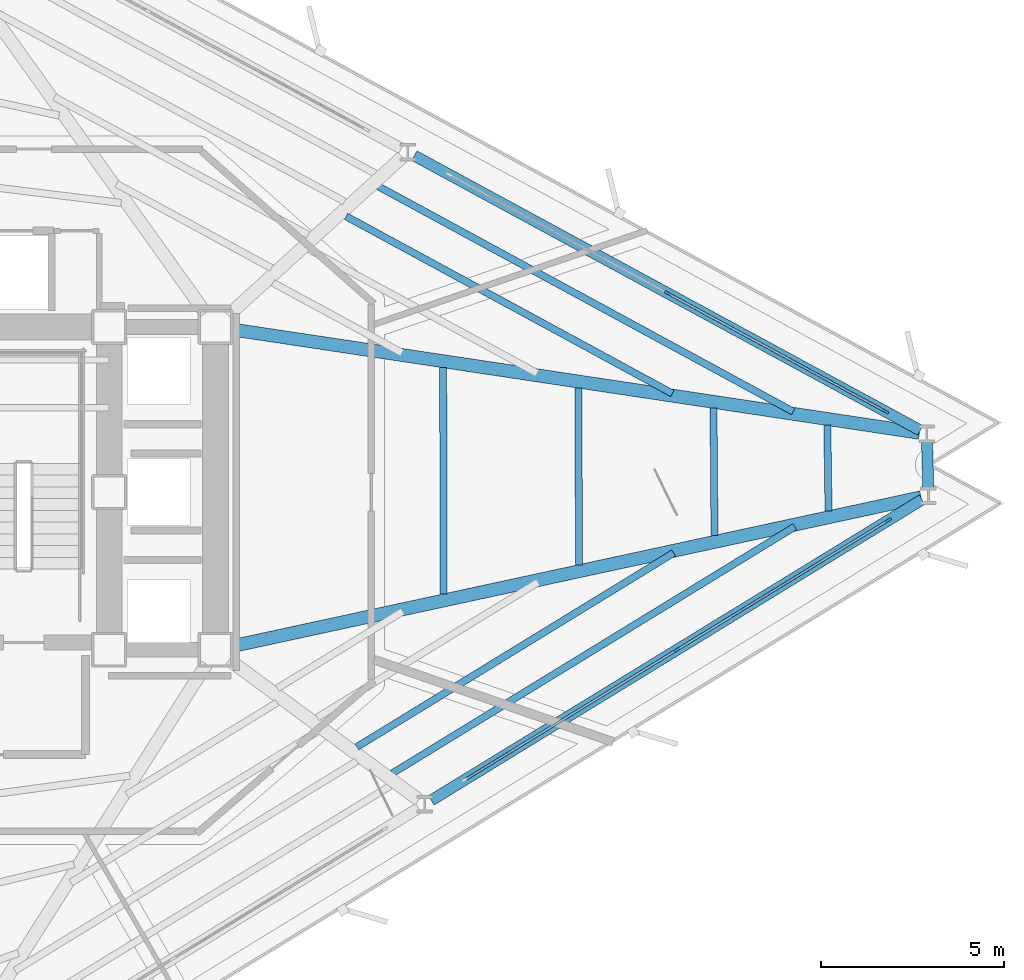
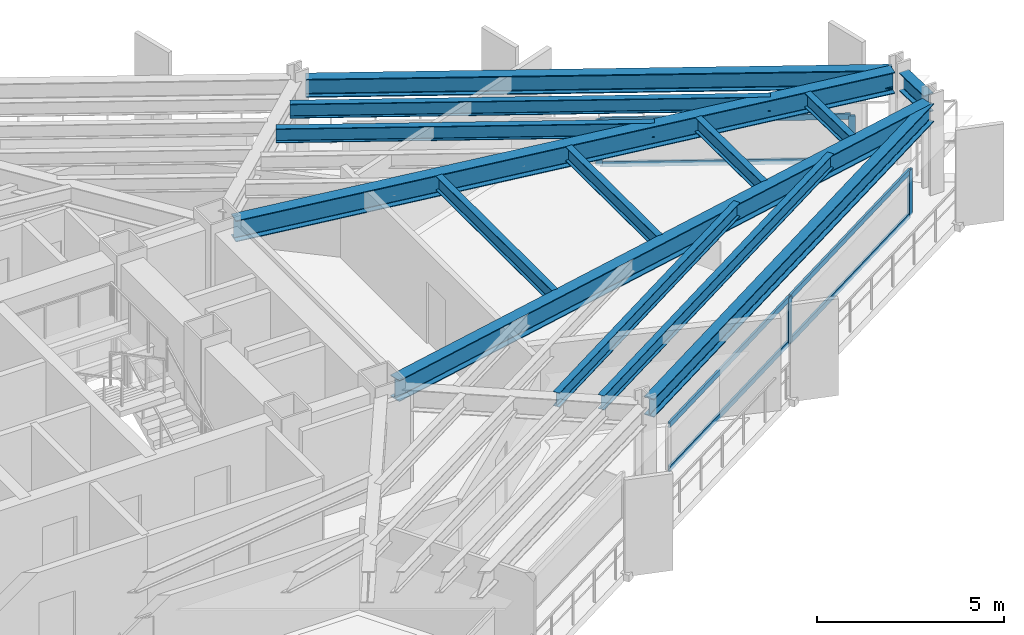
# One storey, part 4 of 14: 13 beams, 10 members, 2 elements without a shape of their own.
"""IFC4 building model written with IfcOpenShell, lengths in metres."""

from ifc_helpers import new_model, si_unit, direction, frame, origin, origin_2d, place, context, subcontext, project, spatial, rectangle, i_section, extrude, material, layer, layer_set, material_profile, profile_set, type_object, element, aggregate, save


model = new_model("IFC4")

# Units and contexts
model_context = context("Model", 3, precision=1e-05, world=origin(), true_north=direction((0.0, 1.0)))
body_context = subcontext(model_context, "Body", "Model", "MODEL_VIEW")
ifc_project = project(units=[si_unit("LENGTHUNIT", "METRE"), si_unit("AREAUNIT", "SQUARE_METRE"), si_unit("VOLUMEUNIT", "CUBIC_METRE"), si_unit("PLANEANGLEUNIT", "RADIAN"), si_unit("MASSUNIT", "GRAM", prefix="KILO")], contexts=[model_context])

# Site, building, storey
site_placement = place(None, origin())
site = spatial("IfcSite", under=ifc_project, at=site_placement, CompositionType="ELEMENT")
building_placement = place(site_placement, origin())
building = spatial("IfcBuilding", under=site, at=building_placement, Name="Rocaltana Carrier Exchange", CompositionType="ELEMENT")
storey_placement = place(building_placement, frame((0.0, 0.0, 42.39990234375)))
storey = spatial("IfcBuildingStorey", under=building, at=storey_placement, Name="L13", CompositionType="ELEMENT", Elevation=42.39990234375)

# Curtain wall, members
ifc_material_1 = material(Name="Aluminium 6063-T6", Category="aluminium")
ifc_layer = layer(ifc_material_1, 0.179931640625)
ifc_layer_set = layer_set([ifc_layer], Name="Aluminium 6063-T6")
curtain_wall_type = type_object("IfcCurtainWallType", Name="Sandstone Spandrel Unitised Curtain Wall CW-01", PredefinedType="NOTDEFINED", material=ifc_layer_set)
curtain_wall_1_placement = place(storey_placement, origin())
curtain_wall_1 = element("IfcCurtainWall", 1, at=curtain_wall_1_placement, inside=storey, type_object=curtain_wall_type, Name="L13 CW-01 Run CW-L13-F1S1", PredefinedType="NOTDEFINED")
ifc_material_2 = material(Name="Aluminium 6063-T6", Category="aluminium")
ifc_material_profile_1 = material_profile(ifc_material_2, rectangle(XDim=0.06494140625, YDim=0.179931640625, at=origin_2d()), Name="AL-65X180")
ifc_profile_set_1 = profile_set([ifc_material_profile_1], Name="Aluminium 6063-T6")
member_type_1 = type_object("IfcMemberType", Name="CW-01 Mullion AL-65X180", PredefinedType="MULLION", material=ifc_profile_set_1)
member_1_placement = place(storey_placement, frame((27.213623046875, 2.19677734375, 0.0), z_axis=(0.0, 0.0, 1.0), x_axis=(-0.477161473226, -0.878815639636, 0.0)))
member_1 = element("IfcMember", 2, at=member_1_placement, type_object=member_type_1, Name="CW-01 mullion 1", PredefinedType="MULLION", context=body_context, shape_type="SweptSolid", body=[
    extrude(rectangle(XDim=0.06494140625, YDim=0.179931640625, at=origin_2d()), origin(), (0.0, 0.0, 1.0), 1.498046875),
])
member_2_placement = place(storey_placement, frame((21.26611328125, 5.426025390625, 0.0), z_axis=(0.0, 0.0, 1.0), x_axis=(-0.477161473226, -0.878815639636, 0.0)))
member_2 = element("IfcMember", 3, at=member_2_placement, type_object=member_type_1, Name="CW-01 mullion 2", PredefinedType="MULLION", context=body_context, shape_type="SweptSolid", body=[
    extrude(rectangle(XDim=0.06494140625, YDim=0.179931640625, at=origin_2d()), origin(), (0.0, 0.0, 1.0), 1.498046875),
])

curtain_wall_2_placement = place(storey_placement, origin())
curtain_wall_2 = element("IfcCurtainWall", 4, at=curtain_wall_2_placement, inside=storey, type_object=curtain_wall_type, Name="L13 CW-01 Run CW-L13-F3S3", PredefinedType="NOTDEFINED")
member_3_placement = place(storey_placement, frame((21.52099609375, -4.3056640625, 0.0), z_axis=(0.0, 0.0, 1.0), x_axis=(-0.522499812415, 0.852639399762, 0.0)))
member_3 = element("IfcMember", 5, at=member_3_placement, type_object=member_type_1, Name="CW-01 mullion 2", PredefinedType="MULLION", context=body_context, shape_type="SweptSolid", body=[
    extrude(rectangle(XDim=0.06494140625, YDim=0.179931640625, at=origin_2d()), origin(), (0.0, 0.0, 1.0), 1.498046875),
])
member_4_placement = place(storey_placement, frame((27.291259765625, -0.76953125, 0.0), z_axis=(0.0, 0.0, 1.0), x_axis=(-0.522499812415, 0.852639399762, 0.0)))
member_4 = element("IfcMember", 6, at=member_4_placement, type_object=member_type_1, Name="CW-01 mullion 3", PredefinedType="MULLION", context=body_context, shape_type="SweptSolid", body=[
    extrude(rectangle(XDim=0.06494140625, YDim=0.179931640625, at=origin_2d()), origin(), (0.0, 0.0, 1.0), 1.498046875),
])

# Member
ifc_material_3 = material(Name="Aluminium 6063-T6", Category="aluminium")
ifc_material_profile_2 = material_profile(ifc_material_3, rectangle(XDim=0.06494140625, YDim=0.179931640625, at=origin_2d()), Name="AL-65X180")
ifc_profile_set_2 = profile_set([ifc_material_profile_2], Name="Aluminium 6063-T6")
member_type_2 = type_object("IfcMemberType", Name="CW-01 Transom AL-65X180", PredefinedType="USERDEFINED", material=ifc_profile_set_2)
member_5_placement = place(storey_placement, frame((27.18505859375, 2.21240234375, 0.03271484375), z_axis=(-0.878830739565, 0.477133661772, 0.0), x_axis=(-0.477133661772, -0.878830739565, 0.0)))
member_5 = element("IfcMember", 7, at=member_5_placement, type_object=member_type_2, Name="CW-01 transom 1.1", ObjectType="TRANSOM", PredefinedType="USERDEFINED", context=body_context, shape_type="SweptSolid", body=[
    extrude(rectangle(XDim=0.06494140625, YDim=0.179931640625, at=origin_2d()), origin(), (0.0, 0.0, 1.0), 6.70263671875),
])

member_6_placement = place(storey_placement, frame((27.18505859375, 2.21240234375, 1.465576171875), z_axis=(-0.878830739565, 0.477133661772, 0.0), x_axis=(-0.477133661772, -0.878830739565, 0.0)))
member_6 = element("IfcMember", 8, at=member_6_placement, type_object=member_type_2, Name="CW-01 transom 1.2", ObjectType="TRANSOM", PredefinedType="USERDEFINED", context=body_context, shape_type="SweptSolid", body=[
    extrude(rectangle(XDim=0.06494140625, YDim=0.179931640625, at=origin_2d()), origin(), (0.0, 0.0, 1.0), 6.70263671875),
])

aggregate(curtain_wall_1, [member_1, member_2, member_5, member_6])

member_7_placement = place(storey_placement, frame((15.7783203125, -7.82470703125, 0.03271484375), z_axis=(0.85263109068, 0.522513371318, 0.0), x_axis=(-0.522513371318, 0.85263109068, 0.0)))
member_7 = element("IfcMember", 9, at=member_7_placement, type_object=member_type_2, Name="CW-01 transom 1.1", ObjectType="TRANSOM", PredefinedType="USERDEFINED", context=body_context, shape_type="SweptSolid", body=[
    extrude(rectangle(XDim=0.06494140625, YDim=0.179931640625, at=origin_2d()), origin(), (0.0, 0.0, 1.0), 6.70263671875),
])

member_8_placement = place(storey_placement, frame((15.7783203125, -7.82470703125, 1.465576171875), z_axis=(0.85263109068, 0.522513371318, 0.0), x_axis=(-0.522513371318, 0.85263109068, 0.0)))
member_8 = element("IfcMember", 10, at=member_8_placement, type_object=member_type_2, Name="CW-01 transom 1.2", ObjectType="TRANSOM", PredefinedType="USERDEFINED", context=body_context, shape_type="SweptSolid", body=[
    extrude(rectangle(XDim=0.06494140625, YDim=0.179931640625, at=origin_2d()), origin(), (0.0, 0.0, 1.0), 6.70263671875),
])

member_9_placement = place(storey_placement, frame((21.548583984375, -4.28857421875, 0.03271484375), z_axis=(0.85264731822, 0.522486890488, 0.0), x_axis=(-0.522486890488, 0.85264731822, 0.0)))
member_9 = element("IfcMember", 11, at=member_9_placement, type_object=member_type_2, Name="CW-01 transom 2.1", ObjectType="TRANSOM", PredefinedType="USERDEFINED", context=body_context, shape_type="SweptSolid", body=[
    extrude(rectangle(XDim=0.06494140625, YDim=0.179931640625, at=origin_2d()), origin(), (0.0, 0.0, 1.0), 6.702392578125),
])

member_10_placement = place(storey_placement, frame((21.548583984375, -4.28857421875, 1.465576171875), z_axis=(0.85264731822, 0.522486890488, 0.0), x_axis=(-0.522486890488, 0.85264731822, 0.0)))
member_10 = element("IfcMember", 12, at=member_10_placement, type_object=member_type_2, Name="CW-01 transom 2.2", ObjectType="TRANSOM", PredefinedType="USERDEFINED", context=body_context, shape_type="SweptSolid", body=[
    extrude(rectangle(XDim=0.06494140625, YDim=0.179931640625, at=origin_2d()), origin(), (0.0, 0.0, 1.0), 6.702392578125),
])

aggregate(curtain_wall_2, [member_3, member_4, member_7, member_8, member_9, member_10])

# Beams
ifc_material_4 = material(Name="Steel S355", Category="steel")
ifc_material_profile_3 = material_profile(ifc_material_4, i_section(OverallWidth=0.193115234375, OverallDepth=0.466064453125, WebThickness=0.011474609375, FlangeThickness=0.01904296875, FilletRadius=0.013916015625, at=origin_2d()), Name="W18X65")
ifc_profile_set_3 = profile_set([ifc_material_profile_3], Name="Steel S355")
beam_type_1 = type_object("IfcBeamType", Name="Floor Joist W18X65", PredefinedType="JOIST", material=ifc_profile_set_3)
beam_1_placement = place(storey_placement, frame((21.4033203125, 2.68701171875, 2.80517578125), z_axis=(-0.878818466662, 0.477156266494, 0.0), x_axis=(-0.477156266494, -0.878818466662, 0.0)))
element("IfcBeam", 13, at=beam_1_placement, inside=storey, type_object=beam_type_1, Name="FJ-L13-01-3", PredefinedType="JOIST", context=body_context, shape_type="SweptSolid", body=[
    extrude(i_section(OverallWidth=0.193115234375, OverallDepth=0.466064453125, WebThickness=0.011474609375, FlangeThickness=0.01904296875, FilletRadius=0.013916015625, at=origin_2d()), origin(), (0.0, 0.0, 1.0), 10.1220703125),
])
beam_2_placement = place(storey_placement, frame((24.69970703125, 2.19140625, 2.80517578125), z_axis=(-0.878819767198, 0.477153871181, 0.0), x_axis=(-0.477153871181, -0.878819767198, 0.0)))
element("IfcBeam", 14, at=beam_2_placement, inside=storey, type_object=beam_type_1, Name="FJ-L13-01-4", PredefinedType="JOIST", context=body_context, shape_type="SweptSolid", body=[
    extrude(i_section(OverallWidth=0.193115234375, OverallDepth=0.466064453125, WebThickness=0.011474609375, FlangeThickness=0.01904296875, FilletRadius=0.013916015625, at=origin_2d()), origin(), (0.0, 0.0, 1.0), 12.859130859375),
])
beam_3_placement = place(storey_placement, frame((12.805908203125, -6.947998046875, 2.80517578125), z_axis=(0.852634876053, 0.522507194341, 0.0), x_axis=(-0.522507194341, 0.852634876053, 0.0)))
element("IfcBeam", 15, at=beam_3_placement, inside=storey, type_object=beam_type_1, Name="FJ-L13-11-3", PredefinedType="JOIST", context=body_context, shape_type="SweptSolid", body=[
    extrude(i_section(OverallWidth=0.193115234375, OverallDepth=0.466064453125, WebThickness=0.011474609375, FlangeThickness=0.01904296875, FilletRadius=0.013916015625, at=origin_2d()), origin(), (0.0, 0.0, 1.0), 10.1220703125),
])
beam_4_placement = place(storey_placement, frame((13.776123046875, -7.6640625, 2.80517578125), z_axis=(0.852642453123, 0.522494829766, 0.0), x_axis=(-0.522494829766, 0.852642453123, 0.0)))
element("IfcBeam", 16, at=beam_4_placement, inside=storey, type_object=beam_type_1, Name="FJ-L13-11-4", PredefinedType="JOIST", context=body_context, shape_type="SweptSolid", body=[
    extrude(i_section(OverallWidth=0.193115234375, OverallDepth=0.466064453125, WebThickness=0.011474609375, FlangeThickness=0.01904296875, FilletRadius=0.013916015625, at=origin_2d()), origin(), (0.0, 0.0, 1.0), 12.85888671875),
])
beam_5_placement = place(storey_placement, frame((15.168701171875, -2.7841796875, 2.80517578125), z_axis=(-0.00213328634, 0.999997724542, 0.0), x_axis=(-0.999997724542, -0.00213328634, 0.0)))
element("IfcBeam", 17, at=beam_5_placement, inside=storey, type_object=beam_type_1, Name="FJ-L13-12-1", PredefinedType="JOIST", context=body_context, shape_type="SweptSolid", body=[
    extrude(i_section(OverallWidth=0.193115234375, OverallDepth=0.466064453125, WebThickness=0.011474609375, FlangeThickness=0.01904296875, FilletRadius=0.013916015625, at=origin_2d()), origin(), (0.0, 0.0, 1.0), 6.179931640625),
])
beam_6_placement = place(storey_placement, frame((18.861083984375, -1.986083984375, 2.80517578125), z_axis=(-0.004348884286, 0.999990543558, 0.0), x_axis=(-0.999990543558, -0.004348884286, 0.0)))
element("IfcBeam", 18, at=beam_6_placement, inside=storey, type_object=beam_type_1, Name="FJ-L13-12-2", PredefinedType="JOIST", context=body_context, shape_type="SweptSolid", body=[
    extrude(i_section(OverallWidth=0.193115234375, OverallDepth=0.466064453125, WebThickness=0.011474609375, FlangeThickness=0.01904296875, FilletRadius=0.013916015625, at=origin_2d()), origin(), (0.0, 0.0, 1.0), 4.827880859375),
])
beam_7_placement = place(storey_placement, frame((22.552978515625, -1.188232421875, 2.80517578125), z_axis=(-0.008076713655, 0.999967382816, 0.0), x_axis=(-0.999967382816, -0.008076713655, 0.0)))
element("IfcBeam", 19, at=beam_7_placement, inside=storey, type_object=beam_type_1, Name="FJ-L13-12-3", PredefinedType="JOIST", context=body_context, shape_type="SweptSolid", body=[
    extrude(i_section(OverallWidth=0.193115234375, OverallDepth=0.466064453125, WebThickness=0.011474609375, FlangeThickness=0.01904296875, FilletRadius=0.013916015625, at=origin_2d()), origin(), (0.0, 0.0, 1.0), 3.47607421875),
])
beam_8_placement = place(storey_placement, frame((25.661376953125, -0.51611328125, 2.80517578125), z_axis=(-0.014097815542, 0.99990062086, 0.0), x_axis=(-0.99990062086, -0.014097815542, 0.0)))
element("IfcBeam", 20, at=beam_8_placement, inside=storey, type_object=beam_type_1, Name="FJ-L13-12-4", PredefinedType="JOIST", context=body_context, shape_type="SweptSolid", body=[
    extrude(i_section(OverallWidth=0.193115234375, OverallDepth=0.466064453125, WebThickness=0.011474609375, FlangeThickness=0.01904296875, FilletRadius=0.013916015625, at=origin_2d()), origin(), (0.0, 0.0, 1.0), 2.337890625),
])
ifc_material_5 = material(Name="Steel S355", Category="steel")
ifc_material_profile_4 = material_profile(ifc_material_5, i_section(OverallWidth=0.35498046875, OverallDepth=0.695068359375, WebThickness=0.015380859375, FlangeThickness=0.02490234375, FilletRadius=0.01806640625, at=origin_2d()), Name="W27X146")
ifc_profile_set_4 = profile_set([ifc_material_profile_4], Name="Steel S355")
beam_type_2 = type_object("IfcBeamType", Name="Radial Girder W27X146", PredefinedType="BEAM", material=ifc_profile_set_4)
beam_9_placement = place(storey_placement, frame((9.411865234375, 4.4306640625, 2.690673828125), z_axis=(0.988886936912, -0.148669519418, 0.0), x_axis=(0.148669519418, 0.988886936912, 0.0)))
element("IfcBeam", 21, at=beam_9_placement, inside=storey, type_object=beam_type_2, Name="RG-L13-01", PredefinedType="BEAM", context=body_context, shape_type="SweptSolid", body=[
    extrude(i_section(OverallWidth=0.35498046875, OverallDepth=0.695068359375, WebThickness=0.015380859375, FlangeThickness=0.02490234375, FilletRadius=0.01806640625, at=origin_2d()), origin(), (0.0, 0.0, 1.0), 18.9375),
])
beam_10_placement = place(storey_placement, frame((9.406494140625, -4.201416015625, 2.690673828125), z_axis=(0.977429699022, 0.211260936923, 0.0), x_axis=(-0.211260936923, 0.977429699022, 0.0)))
element("IfcBeam", 22, at=beam_10_placement, inside=storey, type_object=beam_type_2, Name="RG-L13-12", PredefinedType="BEAM", context=body_context, shape_type="SweptSolid", body=[
    extrude(i_section(OverallWidth=0.35498046875, OverallDepth=0.695068359375, WebThickness=0.015380859375, FlangeThickness=0.02490234375, FilletRadius=0.01806640625, at=origin_2d()), origin(), (0.0, 0.0, 1.0), 19.21240234375),
])
ifc_material_6 = material(Name="Steel S355", Category="steel")
ifc_material_profile_5 = material_profile(ifc_material_6, i_section(OverallWidth=0.300048828125, OverallDepth=0.60009765625, WebThickness=0.015380859375, FlangeThickness=0.030029296875, FilletRadius=0.027099609375, at=origin_2d()), Name="HEB600")
ifc_profile_set_5 = profile_set([ifc_material_profile_5], Name="Steel S355")
beam_type_3 = type_object("IfcBeamType", Name="Spandrel Edge Beam HEB600", PredefinedType="SPANDREL", material=ifc_profile_set_5)
for number, where, z_axis, x_axis, name in (
    (23, (28.161376953125, 1.68212890625, 2.738037109375), (-0.878809627373, 0.47717254619, 0.0), (-0.47717254619, -0.878809627373, 0.0), "SP-L13-01"),
    (24, (14.8310546875, -8.405029296875, 2.738037109375), (0.852642393394, 0.522494927236, 0.0), (-0.522494927236, 0.852642393394, 0.0), "SP-L13-11"),
):
    element("IfcBeam", number, at=place(storey_placement, frame(where, z_axis=z_axis, x_axis=x_axis)), inside=storey, type_object=beam_type_3, Name=name, PredefinedType="SPANDREL", context=body_context, shape_type="SweptSolid", body=[
        extrude(i_section(OverallWidth=0.300048828125, OverallDepth=0.60009765625, WebThickness=0.015380859375, FlangeThickness=0.030029296875, FilletRadius=0.027099609375, at=origin_2d()), origin(), (0.0, 0.0, 1.0), 15.69189453125),
    ])
beam_11_placement = place(storey_placement, frame((28.37939453125, 0.1044921875, 2.738037109375), z_axis=(-0.026191050472, 0.999656955598, 0.0), x_axis=(-0.999656955598, -0.026191050472, 0.0)))
element("IfcBeam", 25, at=beam_11_placement, inside=storey, type_object=beam_type_3, Name="SP-L13-12", PredefinedType="SPANDREL", context=body_context, shape_type="SweptSolid", body=[
    extrude(i_section(OverallWidth=0.300048828125, OverallDepth=0.60009765625, WebThickness=0.015380859375, FlangeThickness=0.030029296875, FilletRadius=0.027099609375, at=origin_2d()), origin(), (0.0, 0.0, 1.0), 1.277099609375),
])

save(model, "model.ifc")
